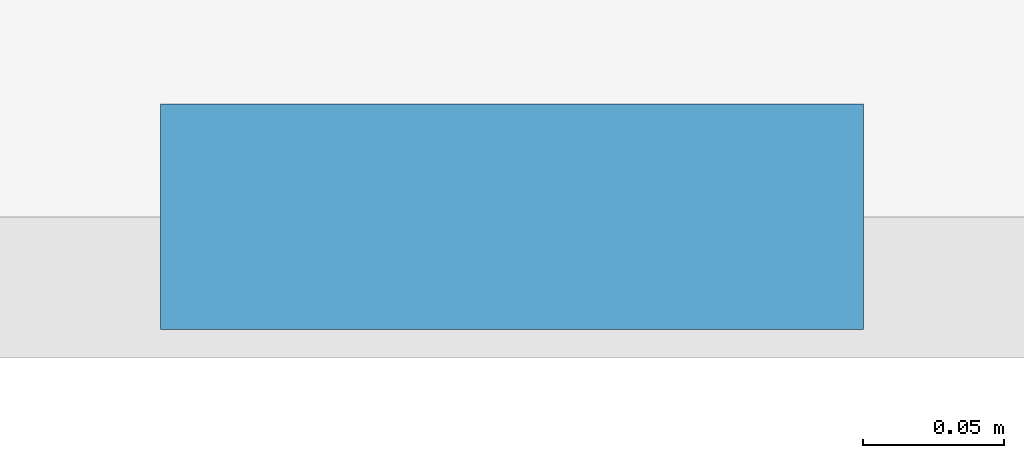
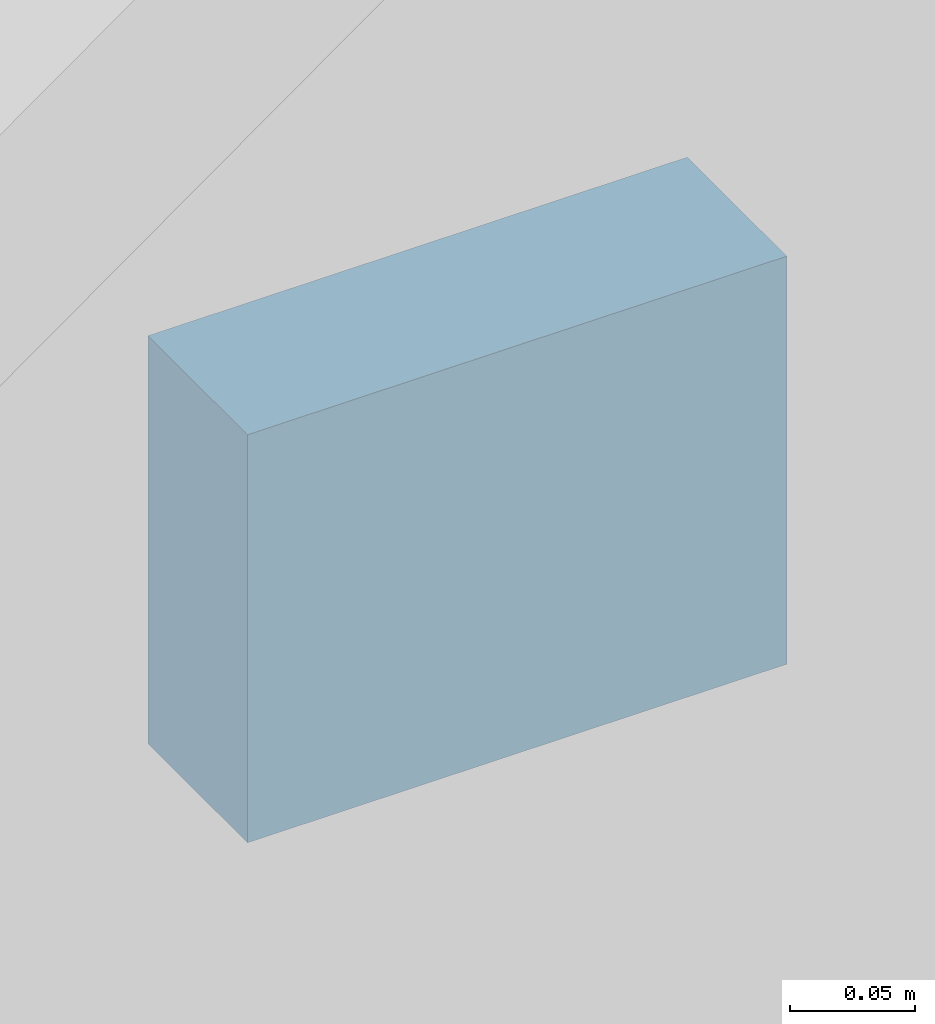
# One storey, part 141 of 278: 1 discrete accessory.
"""IFC4 building model written with IfcOpenShell, lengths in metres."""

from ifc_helpers import new_model, si_unit, direction, frame, origin, origin_2d, place, context, subcontext, project, spatial, rectangle, extrude, material, layer, layer_set, type_object, element, save


model = new_model("IFC4")

# Units and contexts
model_context = context("Model", 3, precision=1e-05, world=origin(), true_north=direction((0.0, 1.0)))
body_context = subcontext(model_context, "Body", "Model", "MODEL_VIEW")
ifc_project = project(units=[si_unit("LENGTHUNIT", "METRE"), si_unit("AREAUNIT", "SQUARE_METRE"), si_unit("VOLUMEUNIT", "CUBIC_METRE"), si_unit("PLANEANGLEUNIT", "RADIAN"), si_unit("MASSUNIT", "GRAM", prefix="KILO")], contexts=[model_context])

# Site, building, storey
site_placement = place(None, origin())
site = spatial("IfcSite", under=ifc_project, at=site_placement, CompositionType="ELEMENT")
building_placement = place(site_placement, origin())
building = spatial("IfcBuilding", under=site, at=building_placement, Name="Ogive Plaza Stadium", CompositionType="ELEMENT")
storey_placement = place(building_placement, frame((0.0, 0.0, 29.0)))
storey = spatial("IfcBuildingStorey", under=building, at=storey_placement, Name="Roof", CompositionType="ELEMENT", Elevation=29.0)

# Discrete accessory
ifc_material = material(Name="Steel ASTM A572 Grade 50", Category="steel")
ifc_layer = layer(ifc_material, 0.080078125)
ifc_layer_set = layer_set([ifc_layer], Name="Steel ASTM A572 Grade 50")
discrete_accessory_type = type_object("IfcDiscreteAccessoryType", Name="Tracery screen bracket 250x200", PredefinedType="BRACKET", material=ifc_layer_set)
discrete_accessory_placement = place(storey_placement, frame((26.425048828125, -103.102294921875, 5.25), z_axis=(0.0, 0.0, 1.0), x_axis=(-1.0, 0.0, 0.0)))
element("IfcDiscreteAccessory", 1, at=discrete_accessory_placement, inside=storey, type_object=discrete_accessory_type, Name="TRACERY SCREEN BRACKET B12 5", PredefinedType="BRACKET", context=body_context, shape_type="SweptSolid", body=[
    extrude(rectangle(XDim=0.25, YDim=0.080078125, at=origin_2d()), origin(), (0.0, 0.0, 1.0), 0.199951171875),
])

save(model, "model.ifc")
